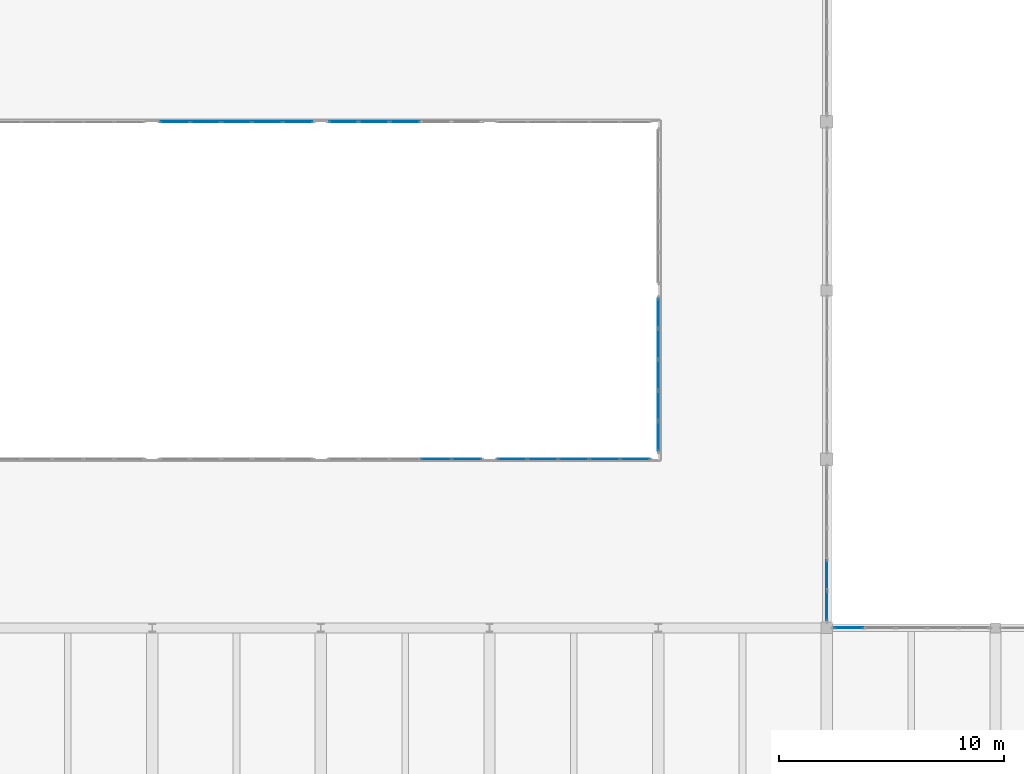
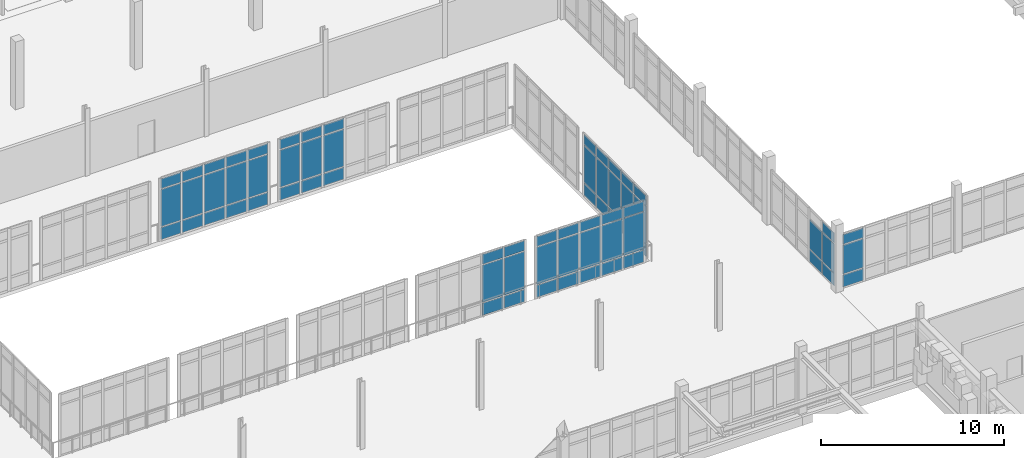
# One storey, part 79 of 128: 68 plates, 7 elements without a shape of their own.
"""IFC4 building model written with IfcOpenShell, lengths in metres."""

import ifcopenshell
import ifcopenshell.guid

model = None  # the IFC model being written
_history = None  # IfcOwnerHistory: only IFC2X3 demands one
_inside = {}  # id of a spatial element -> (the spatial element, [elements in it])
_under = {}  # id of a project, library or spatial element -> (it, [spatial elements below it])
_declared = {}  # id of a project -> (the project, [libraries it declares])
_typed = {}  # id of a type object -> (the type object, [elements of that type])
_made_of = {}  # id of a material, layer set ... -> (it, [elements and type objects made of it])


def new_model(schema):
    """Start an empty IFC model of exactly this schema.

    Asked for "IFC4X3", IfcOpenShell would pick the latest addendum, in which some entities
    have other attributes; the version numbers below select the first issue.
    IFC2X3 requires an IfcOwnerHistory on every rooted entity: one is made here for all.
    """
    global model, _history
    if schema == "IFC4X3":
        model = ifcopenshell.file(schema_version=(4, 3, 0, 0))
    else:
        model = ifcopenshell.file(schema=schema)
    _inside.clear()
    _under.clear()
    _declared.clear()
    _typed.clear()
    _made_of.clear()
    _history = None
    if model.schema == "IFC2X3":
        org = make("IfcOrganization", Name="unknown")
        user = make(
            "IfcPersonAndOrganization",
            ThePerson=make("IfcPerson", FamilyName="unknown"),
            TheOrganization=org,
        )
        app = make(
            "IfcApplication",
            ApplicationDeveloper=org,
            Version="unknown",
            ApplicationFullName="unknown",
            ApplicationIdentifier="unknown",
        )
        _history = make(
            "IfcOwnerHistory",
            OwningUser=user,
            OwningApplication=app,
            ChangeAction="ADDED",
            CreationDate=0,
        )
    return model


def make(cls, **values):
    """One entity of the class cls with the attributes given. An attribute that is None is left unset."""
    return model.create_entity(
        cls, **{name: value for name, value in values.items() if value is not None}
    )


def rooted(cls, **values):
    """An entity with a GlobalId (a new one), such as an element, a storey or a relation."""
    return make(cls, GlobalId=ifcopenshell.guid.new(), OwnerHistory=_history, **values)


def si_unit(unit_type, name, prefix=None):
    """IfcSIUnit, for example si_unit("LENGTHUNIT", "METRE", prefix="MILLI")."""
    return make("IfcSIUnit", UnitType=unit_type, Prefix=prefix, Name=name)


def assignment(units):
    """IfcUnitAssignment: the units of a project."""
    return None if units is None else make("IfcUnitAssignment", Units=units)


def point(xyz):
    """IfcCartesianPoint."""
    return None if xyz is None else make("IfcCartesianPoint", Coordinates=xyz)


def direction(xyz):
    """IfcDirection."""
    return None if xyz is None else make("IfcDirection", DirectionRatios=xyz)


def frame(location, z_axis=None, x_axis=None):
    """IfcAxis2Placement3D, a coordinate frame: its origin and axes. An axis left out is left unset."""
    return make(
        "IfcAxis2Placement3D",
        Location=point(location),
        Axis=direction(z_axis),
        RefDirection=direction(x_axis),
    )


def frame_2d(location, x_axis=None):
    """IfcAxis2Placement2D, a coordinate frame in the plane: its origin and x axis."""
    return make(
        "IfcAxis2Placement2D", Location=point(location), RefDirection=direction(x_axis)
    )


def origin():
    """The frame at (0, 0, 0) with its axes left unset."""
    return frame((0.0, 0.0, 0.0))


def origin_2d():
    """The frame at (0, 0) in the plane with its x axis left unset."""
    return frame_2d((0.0, 0.0))


def place(relative_to, where):
    """IfcLocalPlacement: puts the frame where relative to a parent placement (None: the world)."""
    return make(
        "IfcLocalPlacement", PlacementRelTo=relative_to, RelativePlacement=where
    )


def context(
    kind, dimensions, precision=None, world=None, true_north=None, identifier=None
):
    """IfcGeometricRepresentationContext, for example the 3D "Model" context."""
    return make(
        "IfcGeometricRepresentationContext",
        ContextIdentifier=identifier,
        ContextType=kind,
        CoordinateSpaceDimension=dimensions,
        Precision=precision,
        WorldCoordinateSystem=world,
        TrueNorth=true_north,
    )


def subcontext(parent, identifier, kind, view, scale=None):
    """IfcGeometricRepresentationSubContext, for example "Body" below "Model"."""
    return make(
        "IfcGeometricRepresentationSubContext",
        ContextIdentifier=identifier,
        ContextType=kind,
        ParentContext=parent,
        TargetScale=scale,
        TargetView=view,
    )


def project(units=None, contexts=None):
    """IfcProject with its units and contexts."""
    return rooted(
        "IfcProject",
        Name="project",
        RepresentationContexts=contexts,
        UnitsInContext=assignment(units),
    )


def spatial(cls, under=None, at=None, **own):
    """A site, building, storey or space (cls), placed at a placement, below another one or the project."""
    s = rooted(cls, ObjectPlacement=at, **own)
    if under is not None:
        _under.setdefault(under.id(), (under, []))[1].append(s)
    return s


def profile(cls, at=None, kind="AREA", **sizes):
    """A parametric profile (cls). Its sizes go by their IFC names, for example OverallWidth=200.0."""
    return make(cls, ProfileType=kind, Position=at, **sizes)


def rectangle(**sizes):
    """IfcRectangleProfileDef."""
    return profile("IfcRectangleProfileDef", **sizes)


def extrude(swept, where, along, depth):
    """IfcExtrudedAreaSolid: the profile swept, set in the frame where, extruded along a direction by depth."""
    return make(
        "IfcExtrudedAreaSolid",
        SweptArea=swept,
        Position=where,
        ExtrudedDirection=direction(along),
        Depth=depth,
    )


def shape(context_of_items, identifier, shape_type, items):
    """IfcShapeRepresentation: the items that make up one representation, for example the "Body"."""
    return make(
        "IfcShapeRepresentation",
        ContextOfItems=context_of_items,
        RepresentationIdentifier=identifier,
        RepresentationType=shape_type,
        Items=items,
    )


def material(Name=None, Category=None):
    """IfcMaterial."""
    return make("IfcMaterial", Name=Name, Category=Category)


def layer(
    of_material, thickness, ventilated=None, Name=None, Category=None, Priority=None
):
    """IfcMaterialLayer: one layer of a wall or slab, of a material (None: an air gap)."""
    return make(
        "IfcMaterialLayer",
        Material=of_material,
        LayerThickness=thickness,
        IsVentilated=ventilated,
        Name=Name,
        Category=Category,
        Priority=Priority,
    )


def layer_set(layers, Name=None):
    """IfcMaterialLayerSet."""
    return make("IfcMaterialLayerSet", MaterialLayers=layers, LayerSetName=Name)


def made_of(thing, what):
    """Note that an element or type object is made of a material, layer set ...; save() writes the relation."""
    if what is not None:
        _made_of.setdefault(what.id(), (what, []))[1].append(thing)
    return thing


def type_object(cls, material=None, **own):
    """A type object (cls), such as IfcWallType, which elements share."""
    return made_of(rooted(cls, **own), material)


def element(
    cls,
    number,
    at=None,
    inside=None,
    cuts=None,
    type_object=None,
    material=None,
    context=None,
    identifier="Body",
    shape_type=None,
    held_by="IfcProductDefinitionShape",
    body=None,
    shapes=None,
    **own,
):
    """One element of the class cls, such as IfcWall. Its Tag is "e" and its number.

    at: its placement. inside: the storey or other place that contains it. cuts: it is an
    opening in that element (IfcRelVoidsElement). A single representation is given by context,
    identifier, shape_type and body (its items); several are given by shapes. held_by: the class
    of the entity that holds the representations. save() writes the other relations.
    """
    e = rooted(cls, Tag="e%d" % number, ObjectPlacement=at, **own)
    if body is not None:
        shapes = [shape(context, identifier, shape_type, body)]
    if shapes is not None:
        e.Representation = make(held_by, Representations=shapes)
    if inside is not None:
        _inside.setdefault(inside.id(), (inside, []))[1].append(e)
    if cuts is not None:
        rooted(
            "IfcRelVoidsElement", RelatingBuildingElement=cuts, RelatedOpeningElement=e
        )
    if type_object is not None:
        _typed.setdefault(type_object.id(), (type_object, []))[1].append(e)
    return made_of(e, material)


def aggregate(whole, parts):
    """IfcRelAggregates: a whole, such as a stair, and the parts it consists of."""
    return rooted("IfcRelAggregates", RelatingObject=whole, RelatedObjects=parts)


def save(model, path):
    """Write the relations noted so far, then the file.

    IfcRelAggregates (storeys below a building ...), IfcRelContainedInSpatialStructure (elements
    in a storey), IfcRelDefinesByType, IfcRelAssociatesMaterial and IfcRelDeclares: one each for
    every whole, place, type object, material and project.
    """
    for whole, parts in _under.values():
        aggregate(whole, parts)
    for where, things in _inside.values():
        rooted(
            "IfcRelContainedInSpatialStructure",
            RelatedElements=things,
            RelatingStructure=where,
        )
    for kind, things in _typed.values():
        rooted("IfcRelDefinesByType", RelatedObjects=things, RelatingType=kind)
    for what, things in _made_of.values():
        rooted("IfcRelAssociatesMaterial", RelatedObjects=things, RelatingMaterial=what)
    for by, libraries in _declared.values():
        rooted("IfcRelDeclares", RelatingContext=by, RelatedDefinitions=libraries)
    model.write(path)


model = new_model("IFC4")

# Units and contexts
model_context = context("Model", 3, precision=1e-05, world=origin(), true_north=direction((0.0, 1.0)))
body_context = subcontext(model_context, "Body", "Model", "MODEL_VIEW")
ifc_project = project(units=[si_unit("LENGTHUNIT", "METRE"), si_unit("AREAUNIT", "SQUARE_METRE"), si_unit("VOLUMEUNIT", "CUBIC_METRE"), si_unit("PLANEANGLEUNIT", "RADIAN"), si_unit("MASSUNIT", "GRAM", prefix="KILO")], contexts=[model_context])

# Site, building, storey
site_placement = place(None, origin())
site = spatial("IfcSite", under=ifc_project, at=site_placement, CompositionType="ELEMENT")
building_placement = place(site_placement, origin())
building = spatial("IfcBuilding", under=site, at=building_placement, Name="Dalvernix Boulevard General Hospital", CompositionType="ELEMENT")
storey_placement = place(building_placement, frame((0.0, 0.0, 4.800048828125)))
storey = spatial("IfcBuildingStorey", under=building, at=storey_placement, Name="L01", CompositionType="ELEMENT", Elevation=4.800048828125)

# Curtain wall, plates
ifc_material_1 = material(Name="Thermally broken aluminium and solar-control glass curtain wall", Category="aluminium")
ifc_layer_1 = layer(ifc_material_1, 0.159912109375)
ifc_layer_set_1 = layer_set([ifc_layer_1], Name="Thermally broken aluminium and solar-control glass curtain wall (CW-CW-A-69x42)")
curtain_wall_type_1 = type_object("IfcCurtainWallType", Name="CW-CW-A-69x42", PredefinedType="USERDEFINED", material=ifc_layer_set_1)
curtain_wall_1_placement = place(storey_placement, origin())
curtain_wall_1 = element("IfcCurtainWall", 1, at=curtain_wall_1_placement, inside=storey, type_object=curtain_wall_type_1, Name="L01 curtain wall CW-A-69x42 12-5", ObjectType="GLAZED FACADE", PredefinedType="USERDEFINED")
ifc_material_2 = material(Name="Double-glazed solar-control low-emissivity glass", Category="glass")
ifc_layer_2 = layer(ifc_material_2, 0.02392578125)
ifc_layer_set_2 = layer_set([ifc_layer_2], Name="Double-glazed solar-control low-emissivity glass (PLT-CW-P1)")
plate_type_1 = type_object("IfcPlateType", Name="PLT-CW-P1", PredefinedType="CURTAIN_PANEL", material=ifc_layer_set_2)
plate_1_placement = place(storey_placement, frame((95.1259765625, 39.0, 0.059814453125), z_axis=(0.0, 0.0, 1.0), x_axis=(1.0, 0.0, 0.0)))
plate_1 = element("IfcPlate", 2, at=plate_1_placement, type_object=plate_type_1, Name="CW-A-69x42 panel 4.1", PredefinedType="CURTAIN_PANEL", context=body_context, shape_type="SweptSolid", body=[
    extrude(rectangle(XDim=1.31591796875, YDim=0.02392578125, at=origin_2d()), origin(), (0.0, 0.0, 1.0), 0.81005859375),
])
plate_2_placement = place(storey_placement, frame((95.1259765625, 39.0, 0.93017578125), z_axis=(0.0, 0.0, 1.0), x_axis=(1.0, 0.0, 0.0)))
plate_2 = element("IfcPlate", 3, at=plate_2_placement, type_object=plate_type_1, Name="CW-A-69x42 panel 4.2", PredefinedType="CURTAIN_PANEL", context=body_context, shape_type="SweptSolid", body=[
    extrude(rectangle(XDim=1.31591796875, YDim=0.02392578125, at=origin_2d()), origin(), (0.0, 0.0, 1.0), 2.469970703125),
])
plate_3_placement = place(storey_placement, frame((95.1259765625, 39.0, 3.4599609375), z_axis=(0.0, 0.0, 1.0), x_axis=(1.0, 0.0, 0.0)))
plate_3 = element("IfcPlate", 4, at=plate_3_placement, type_object=plate_type_1, Name="CW-A-69x42 panel 4.3", PredefinedType="CURTAIN_PANEL", context=body_context, shape_type="SweptSolid", body=[
    extrude(rectangle(XDim=1.31591796875, YDim=0.02392578125, at=origin_2d()), origin(), (0.0, 0.0, 1.0), 0.659912109375),
])
plate_4_placement = place(storey_placement, frame((96.487060546875, 39.0, 0.059814453125), z_axis=(0.0, 0.0, 1.0), x_axis=(1.0, 0.0, 0.0)))
plate_4 = element("IfcPlate", 5, at=plate_4_placement, type_object=plate_type_1, Name="CW-A-69x42 panel 5.1", PredefinedType="CURTAIN_PANEL", context=body_context, shape_type="SweptSolid", body=[
    extrude(rectangle(XDim=1.285888671875, YDim=0.02392578125, at=origin_2d()), origin(), (0.0, 0.0, 1.0), 0.81005859375),
])
plate_5_placement = place(storey_placement, frame((96.487060546875, 39.0, 0.93017578125), z_axis=(0.0, 0.0, 1.0), x_axis=(1.0, 0.0, 0.0)))
plate_5 = element("IfcPlate", 6, at=plate_5_placement, type_object=plate_type_1, Name="CW-A-69x42 panel 5.2", PredefinedType="CURTAIN_PANEL", context=body_context, shape_type="SweptSolid", body=[
    extrude(rectangle(XDim=1.285888671875, YDim=0.02392578125, at=origin_2d()), origin(), (0.0, 0.0, 1.0), 2.469970703125),
])
plate_6_placement = place(storey_placement, frame((96.487060546875, 39.0, 3.4599609375), z_axis=(0.0, 0.0, 1.0), x_axis=(1.0, 0.0, 0.0)))
plate_6 = element("IfcPlate", 7, at=plate_6_placement, type_object=plate_type_1, Name="CW-A-69x42 panel 5.3", PredefinedType="CURTAIN_PANEL", context=body_context, shape_type="SweptSolid", body=[
    extrude(rectangle(XDim=1.285888671875, YDim=0.02392578125, at=origin_2d()), origin(), (0.0, 0.0, 1.0), 0.659912109375),
])
aggregate(curtain_wall_1, [plate_1, plate_2, plate_3, plate_4, plate_5, plate_6])

ifc_layer_3 = layer(ifc_material_1, 0.179931640625)
ifc_layer_set_3 = layer_set([ifc_layer_3], Name="Thermally broken aluminium and solar-control glass curtain wall (CW-CW-B-69x42)")
curtain_wall_type_2 = type_object("IfcCurtainWallType", Name="CW-CW-B-69x42", PredefinedType="USERDEFINED", material=ifc_layer_set_3)
curtain_wall_2_placement = place(storey_placement, origin())
curtain_wall_2 = element("IfcCurtainWall", 8, at=curtain_wall_2_placement, inside=storey, type_object=curtain_wall_type_2, Name="L01 curtain wall CW-B-69x42 11-7", ObjectType="GLAZED FACADE", PredefinedType="USERDEFINED")
ifc_layer_4 = layer(ifc_material_2, 0.028076171875)
ifc_layer_set_4 = layer_set([ifc_layer_4], Name="Double-glazed solar-control low-emissivity glass (PLT-CW-P2)")
plate_type_2 = type_object("IfcPlateType", Name="PLT-CW-P2", PredefinedType="CURTAIN_PANEL", material=ifc_layer_set_4)
plate_7_placement = place(storey_placement, frame((88.98583984375, 54.0, 0.06494140625), z_axis=(0.0, 0.0, 1.0), x_axis=(-1.0, 0.0, 0.0)))
plate_7 = element("IfcPlate", 9, at=plate_7_placement, type_object=plate_type_2, Name="CW-B-69x42 panel 1.1", PredefinedType="CURTAIN_PANEL", context=body_context, shape_type="SweptSolid", body=[
    extrude(rectangle(XDim=1.278564453125, YDim=0.028076171875, at=origin_2d()), origin(), (0.0, 0.0, 1.0), 0.802490234375),
])
plate_8_placement = place(storey_placement, frame((88.98583984375, 54.0, 0.9326171875), z_axis=(0.0, 0.0, 1.0), x_axis=(-1.0, 0.0, 0.0)))
plate_8 = element("IfcPlate", 10, at=plate_8_placement, type_object=plate_type_2, Name="CW-B-69x42 panel 1.2", PredefinedType="CURTAIN_PANEL", context=body_context, shape_type="SweptSolid", body=[
    extrude(rectangle(XDim=1.278564453125, YDim=0.028076171875, at=origin_2d()), origin(), (0.0, 0.0, 1.0), 2.465087890625),
])
plate_9_placement = place(storey_placement, frame((88.98583984375, 54.0, 3.46240234375), z_axis=(0.0, 0.0, 1.0), x_axis=(-1.0, 0.0, 0.0)))
plate_9 = element("IfcPlate", 11, at=plate_9_placement, type_object=plate_type_2, Name="CW-B-69x42 panel 1.3", PredefinedType="CURTAIN_PANEL", context=body_context, shape_type="SweptSolid", body=[
    extrude(rectangle(XDim=1.278564453125, YDim=0.028076171875, at=origin_2d()), origin(), (0.0, 0.0, 1.0), 0.652587890625),
])
plate_10_placement = place(storey_placement, frame((87.6259765625, 54.0, 0.06494140625), z_axis=(0.0, 0.0, 1.0), x_axis=(-1.0, 0.0, 0.0)))
plate_10 = element("IfcPlate", 12, at=plate_10_placement, type_object=plate_type_2, Name="CW-B-69x42 panel 2.1", PredefinedType="CURTAIN_PANEL", context=body_context, shape_type="SweptSolid", body=[
    extrude(rectangle(XDim=1.31103515625, YDim=0.028076171875, at=origin_2d()), origin(), (0.0, 0.0, 1.0), 0.802490234375),
])
plate_11_placement = place(storey_placement, frame((87.6259765625, 54.0, 0.9326171875), z_axis=(0.0, 0.0, 1.0), x_axis=(-1.0, 0.0, 0.0)))
plate_11 = element("IfcPlate", 13, at=plate_11_placement, type_object=plate_type_2, Name="CW-B-69x42 panel 2.2", PredefinedType="CURTAIN_PANEL", context=body_context, shape_type="SweptSolid", body=[
    extrude(rectangle(XDim=1.31103515625, YDim=0.028076171875, at=origin_2d()), origin(), (0.0, 0.0, 1.0), 2.465087890625),
])
plate_12_placement = place(storey_placement, frame((87.6259765625, 54.0, 3.46240234375), z_axis=(0.0, 0.0, 1.0), x_axis=(-1.0, 0.0, 0.0)))
plate_12 = element("IfcPlate", 14, at=plate_12_placement, type_object=plate_type_2, Name="CW-B-69x42 panel 2.3", PredefinedType="CURTAIN_PANEL", context=body_context, shape_type="SweptSolid", body=[
    extrude(rectangle(XDim=1.31103515625, YDim=0.028076171875, at=origin_2d()), origin(), (0.0, 0.0, 1.0), 0.652587890625),
])
plate_13_placement = place(storey_placement, frame((86.25, 54.0, 0.06494140625), z_axis=(0.0, 0.0, 1.0), x_axis=(-1.0, 0.0, 0.0)))
plate_13 = element("IfcPlate", 15, at=plate_13_placement, type_object=plate_type_2, Name="CW-B-69x42 panel 3.1", PredefinedType="CURTAIN_PANEL", context=body_context, shape_type="SweptSolid", body=[
    extrude(rectangle(XDim=1.31103515625, YDim=0.028076171875, at=origin_2d()), origin(), (0.0, 0.0, 1.0), 0.802490234375),
])
plate_14_placement = place(storey_placement, frame((86.25, 54.0, 0.9326171875), z_axis=(0.0, 0.0, 1.0), x_axis=(-1.0, 0.0, 0.0)))
plate_14 = element("IfcPlate", 16, at=plate_14_placement, type_object=plate_type_2, Name="CW-B-69x42 panel 3.2", PredefinedType="CURTAIN_PANEL", context=body_context, shape_type="SweptSolid", body=[
    extrude(rectangle(XDim=1.31103515625, YDim=0.028076171875, at=origin_2d()), origin(), (0.0, 0.0, 1.0), 2.465087890625),
])
plate_15_placement = place(storey_placement, frame((86.25, 54.0, 3.46240234375), z_axis=(0.0, 0.0, 1.0), x_axis=(-1.0, 0.0, 0.0)))
plate_15 = element("IfcPlate", 17, at=plate_15_placement, type_object=plate_type_2, Name="CW-B-69x42 panel 3.3", PredefinedType="CURTAIN_PANEL", context=body_context, shape_type="SweptSolid", body=[
    extrude(rectangle(XDim=1.31103515625, YDim=0.028076171875, at=origin_2d()), origin(), (0.0, 0.0, 1.0), 0.652587890625),
])
plate_16_placement = place(storey_placement, frame((84.8740234375, 54.0, 0.06494140625), z_axis=(0.0, 0.0, 1.0), x_axis=(-1.0, 0.0, 0.0)))
plate_16 = element("IfcPlate", 18, at=plate_16_placement, type_object=plate_type_2, Name="CW-B-69x42 panel 4.1", PredefinedType="CURTAIN_PANEL", context=body_context, shape_type="SweptSolid", body=[
    extrude(rectangle(XDim=1.31103515625, YDim=0.028076171875, at=origin_2d()), origin(), (0.0, 0.0, 1.0), 0.802490234375),
])
plate_17_placement = place(storey_placement, frame((84.8740234375, 54.0, 0.9326171875), z_axis=(0.0, 0.0, 1.0), x_axis=(-1.0, 0.0, 0.0)))
plate_17 = element("IfcPlate", 19, at=plate_17_placement, type_object=plate_type_2, Name="CW-B-69x42 panel 4.2", PredefinedType="CURTAIN_PANEL", context=body_context, shape_type="SweptSolid", body=[
    extrude(rectangle(XDim=1.31103515625, YDim=0.028076171875, at=origin_2d()), origin(), (0.0, 0.0, 1.0), 2.465087890625),
])
plate_18_placement = place(storey_placement, frame((84.8740234375, 54.0, 3.46240234375), z_axis=(0.0, 0.0, 1.0), x_axis=(-1.0, 0.0, 0.0)))
plate_18 = element("IfcPlate", 20, at=plate_18_placement, type_object=plate_type_2, Name="CW-B-69x42 panel 4.3", PredefinedType="CURTAIN_PANEL", context=body_context, shape_type="SweptSolid", body=[
    extrude(rectangle(XDim=1.31103515625, YDim=0.028076171875, at=origin_2d()), origin(), (0.0, 0.0, 1.0), 0.652587890625),
])
plate_19_placement = place(storey_placement, frame((83.51416015625, 54.0, 0.06494140625), z_axis=(0.0, 0.0, 1.0), x_axis=(-1.0, 0.0, 0.0)))
plate_19 = element("IfcPlate", 21, at=plate_19_placement, type_object=plate_type_2, Name="CW-B-69x42 panel 5.1", PredefinedType="CURTAIN_PANEL", context=body_context, shape_type="SweptSolid", body=[
    extrude(rectangle(XDim=1.278564453125, YDim=0.028076171875, at=origin_2d()), origin(), (0.0, 0.0, 1.0), 0.802490234375),
])
plate_20_placement = place(storey_placement, frame((83.51416015625, 54.0, 0.9326171875), z_axis=(0.0, 0.0, 1.0), x_axis=(-1.0, 0.0, 0.0)))
plate_20 = element("IfcPlate", 22, at=plate_20_placement, type_object=plate_type_2, Name="CW-B-69x42 panel 5.2", PredefinedType="CURTAIN_PANEL", context=body_context, shape_type="SweptSolid", body=[
    extrude(rectangle(XDim=1.278564453125, YDim=0.028076171875, at=origin_2d()), origin(), (0.0, 0.0, 1.0), 2.465087890625),
])
plate_21_placement = place(storey_placement, frame((83.51416015625, 54.0, 3.46240234375), z_axis=(0.0, 0.0, 1.0), x_axis=(-1.0, 0.0, 0.0)))
plate_21 = element("IfcPlate", 23, at=plate_21_placement, type_object=plate_type_2, Name="CW-B-69x42 panel 5.3", PredefinedType="CURTAIN_PANEL", context=body_context, shape_type="SweptSolid", body=[
    extrude(rectangle(XDim=1.278564453125, YDim=0.028076171875, at=origin_2d()), origin(), (0.0, 0.0, 1.0), 0.652587890625),
])
aggregate(curtain_wall_2, [plate_7, plate_8, plate_9, plate_10, plate_11, plate_12, plate_13, plate_14, plate_15, plate_16, plate_17, plate_18, plate_19, plate_20, plate_21])

curtain_wall_3_placement = place(storey_placement, origin())
curtain_wall_3 = element("IfcCurtainWall", 24, at=curtain_wall_3_placement, inside=storey, type_object=curtain_wall_type_2, Name="L01 curtain wall CW-B-69x42 13-5", ObjectType="GLAZED FACADE", PredefinedType="USERDEFINED")
plate_22_placement = place(storey_placement, frame((98.51416015625, 39.0, 0.06494140625), z_axis=(0.0, 0.0, 1.0), x_axis=(1.0, 0.0, 0.0)))
plate_22 = element("IfcPlate", 25, at=plate_22_placement, type_object=plate_type_2, Name="CW-B-69x42 panel 1.1", PredefinedType="CURTAIN_PANEL", context=body_context, shape_type="SweptSolid", body=[
    extrude(rectangle(XDim=1.278564453125, YDim=0.028076171875, at=origin_2d()), origin(), (0.0, 0.0, 1.0), 0.802490234375),
])
plate_23_placement = place(storey_placement, frame((98.51416015625, 39.0, 0.9326171875), z_axis=(0.0, 0.0, 1.0), x_axis=(1.0, 0.0, 0.0)))
plate_23 = element("IfcPlate", 26, at=plate_23_placement, type_object=plate_type_2, Name="CW-B-69x42 panel 1.2", PredefinedType="CURTAIN_PANEL", context=body_context, shape_type="SweptSolid", body=[
    extrude(rectangle(XDim=1.278564453125, YDim=0.028076171875, at=origin_2d()), origin(), (0.0, 0.0, 1.0), 2.465087890625),
])
plate_24_placement = place(storey_placement, frame((98.51416015625, 39.0, 3.46240234375), z_axis=(0.0, 0.0, 1.0), x_axis=(1.0, 0.0, 0.0)))
plate_24 = element("IfcPlate", 27, at=plate_24_placement, type_object=plate_type_2, Name="CW-B-69x42 panel 1.3", PredefinedType="CURTAIN_PANEL", context=body_context, shape_type="SweptSolid", body=[
    extrude(rectangle(XDim=1.278564453125, YDim=0.028076171875, at=origin_2d()), origin(), (0.0, 0.0, 1.0), 0.652587890625),
])
plate_25_placement = place(storey_placement, frame((99.8740234375, 39.0, 0.06494140625), z_axis=(0.0, 0.0, 1.0), x_axis=(1.0, 0.0, 0.0)))
plate_25 = element("IfcPlate", 28, at=plate_25_placement, type_object=plate_type_2, Name="CW-B-69x42 panel 2.1", PredefinedType="CURTAIN_PANEL", context=body_context, shape_type="SweptSolid", body=[
    extrude(rectangle(XDim=1.31103515625, YDim=0.028076171875, at=origin_2d()), origin(), (0.0, 0.0, 1.0), 0.802490234375),
])
plate_26_placement = place(storey_placement, frame((99.8740234375, 39.0, 0.9326171875), z_axis=(0.0, 0.0, 1.0), x_axis=(1.0, 0.0, 0.0)))
plate_26 = element("IfcPlate", 29, at=plate_26_placement, type_object=plate_type_2, Name="CW-B-69x42 panel 2.2", PredefinedType="CURTAIN_PANEL", context=body_context, shape_type="SweptSolid", body=[
    extrude(rectangle(XDim=1.31103515625, YDim=0.028076171875, at=origin_2d()), origin(), (0.0, 0.0, 1.0), 2.465087890625),
])
plate_27_placement = place(storey_placement, frame((99.8740234375, 39.0, 3.46240234375), z_axis=(0.0, 0.0, 1.0), x_axis=(1.0, 0.0, 0.0)))
plate_27 = element("IfcPlate", 30, at=plate_27_placement, type_object=plate_type_2, Name="CW-B-69x42 panel 2.3", PredefinedType="CURTAIN_PANEL", context=body_context, shape_type="SweptSolid", body=[
    extrude(rectangle(XDim=1.31103515625, YDim=0.028076171875, at=origin_2d()), origin(), (0.0, 0.0, 1.0), 0.652587890625),
])
plate_28_placement = place(storey_placement, frame((101.25, 39.0, 0.06494140625), z_axis=(0.0, 0.0, 1.0), x_axis=(1.0, 0.0, 0.0)))
plate_28 = element("IfcPlate", 31, at=plate_28_placement, type_object=plate_type_2, Name="CW-B-69x42 panel 3.1", PredefinedType="CURTAIN_PANEL", context=body_context, shape_type="SweptSolid", body=[
    extrude(rectangle(XDim=1.31103515625, YDim=0.028076171875, at=origin_2d()), origin(), (0.0, 0.0, 1.0), 0.802490234375),
])
plate_29_placement = place(storey_placement, frame((101.25, 39.0, 0.9326171875), z_axis=(0.0, 0.0, 1.0), x_axis=(1.0, 0.0, 0.0)))
plate_29 = element("IfcPlate", 32, at=plate_29_placement, type_object=plate_type_2, Name="CW-B-69x42 panel 3.2", PredefinedType="CURTAIN_PANEL", context=body_context, shape_type="SweptSolid", body=[
    extrude(rectangle(XDim=1.31103515625, YDim=0.028076171875, at=origin_2d()), origin(), (0.0, 0.0, 1.0), 2.465087890625),
])
plate_30_placement = place(storey_placement, frame((101.25, 39.0, 3.46240234375), z_axis=(0.0, 0.0, 1.0), x_axis=(1.0, 0.0, 0.0)))
plate_30 = element("IfcPlate", 33, at=plate_30_placement, type_object=plate_type_2, Name="CW-B-69x42 panel 3.3", PredefinedType="CURTAIN_PANEL", context=body_context, shape_type="SweptSolid", body=[
    extrude(rectangle(XDim=1.31103515625, YDim=0.028076171875, at=origin_2d()), origin(), (0.0, 0.0, 1.0), 0.652587890625),
])
plate_31_placement = place(storey_placement, frame((102.6259765625, 39.0, 0.06494140625), z_axis=(0.0, 0.0, 1.0), x_axis=(1.0, 0.0, 0.0)))
plate_31 = element("IfcPlate", 34, at=plate_31_placement, type_object=plate_type_2, Name="CW-B-69x42 panel 4.1", PredefinedType="CURTAIN_PANEL", context=body_context, shape_type="SweptSolid", body=[
    extrude(rectangle(XDim=1.31103515625, YDim=0.028076171875, at=origin_2d()), origin(), (0.0, 0.0, 1.0), 0.802490234375),
])
plate_32_placement = place(storey_placement, frame((102.6259765625, 39.0, 0.9326171875), z_axis=(0.0, 0.0, 1.0), x_axis=(1.0, 0.0, 0.0)))
plate_32 = element("IfcPlate", 35, at=plate_32_placement, type_object=plate_type_2, Name="CW-B-69x42 panel 4.2", PredefinedType="CURTAIN_PANEL", context=body_context, shape_type="SweptSolid", body=[
    extrude(rectangle(XDim=1.31103515625, YDim=0.028076171875, at=origin_2d()), origin(), (0.0, 0.0, 1.0), 2.465087890625),
])
plate_33_placement = place(storey_placement, frame((102.6259765625, 39.0, 3.46240234375), z_axis=(0.0, 0.0, 1.0), x_axis=(1.0, 0.0, 0.0)))
plate_33 = element("IfcPlate", 36, at=plate_33_placement, type_object=plate_type_2, Name="CW-B-69x42 panel 4.3", PredefinedType="CURTAIN_PANEL", context=body_context, shape_type="SweptSolid", body=[
    extrude(rectangle(XDim=1.31103515625, YDim=0.028076171875, at=origin_2d()), origin(), (0.0, 0.0, 1.0), 0.652587890625),
])
plate_34_placement = place(storey_placement, frame((103.98583984375, 39.0, 0.06494140625), z_axis=(0.0, 0.0, 1.0), x_axis=(1.0, 0.0, 0.0)))
plate_34 = element("IfcPlate", 37, at=plate_34_placement, type_object=plate_type_2, Name="CW-B-69x42 panel 5.1", PredefinedType="CURTAIN_PANEL", context=body_context, shape_type="SweptSolid", body=[
    extrude(rectangle(XDim=1.278564453125, YDim=0.028076171875, at=origin_2d()), origin(), (0.0, 0.0, 1.0), 0.802490234375),
])
plate_35_placement = place(storey_placement, frame((103.98583984375, 39.0, 0.9326171875), z_axis=(0.0, 0.0, 1.0), x_axis=(1.0, 0.0, 0.0)))
plate_35 = element("IfcPlate", 38, at=plate_35_placement, type_object=plate_type_2, Name="CW-B-69x42 panel 5.2", PredefinedType="CURTAIN_PANEL", context=body_context, shape_type="SweptSolid", body=[
    extrude(rectangle(XDim=1.278564453125, YDim=0.028076171875, at=origin_2d()), origin(), (0.0, 0.0, 1.0), 2.465087890625),
])
plate_36_placement = place(storey_placement, frame((103.98583984375, 39.0, 3.46240234375), z_axis=(0.0, 0.0, 1.0), x_axis=(1.0, 0.0, 0.0)))
plate_36 = element("IfcPlate", 39, at=plate_36_placement, type_object=plate_type_2, Name="CW-B-69x42 panel 5.3", PredefinedType="CURTAIN_PANEL", context=body_context, shape_type="SweptSolid", body=[
    extrude(rectangle(XDim=1.278564453125, YDim=0.028076171875, at=origin_2d()), origin(), (0.0, 0.0, 1.0), 0.652587890625),
])
aggregate(curtain_wall_3, [plate_22, plate_23, plate_24, plate_25, plate_26, plate_27, plate_28, plate_29, plate_30, plate_31, plate_32, plate_33, plate_34, plate_35, plate_36])

ifc_layer_5 = layer(ifc_material_1, 0.199951171875)
ifc_layer_set_5 = layer_set([ifc_layer_5], Name="Thermally broken aluminium and solar-control glass curtain wall (CW-CW-C-69x42)")
curtain_wall_type_3 = type_object("IfcCurtainWallType", Name="CW-CW-C-69x42", PredefinedType="USERDEFINED", material=ifc_layer_set_5)
curtain_wall_4_placement = place(storey_placement, origin())
curtain_wall_4 = element("IfcCurtainWall", 40, at=curtain_wall_4_placement, inside=storey, type_object=curtain_wall_type_3, Name="L01 curtain wall CW-C-69x42 12-7", ObjectType="GLAZED FACADE", PredefinedType="USERDEFINED")
ifc_layer_6 = layer(ifc_material_2, 0.035888671875)
ifc_layer_set_6 = layer_set([ifc_layer_6], Name="Double-glazed solar-control low-emissivity glass (PLT-CW-P3)")
plate_type_3 = type_object("IfcPlateType", Name="PLT-CW-P3", PredefinedType="CURTAIN_PANEL", material=ifc_layer_set_6)
plate_37_placement = place(storey_placement, frame((93.75, 54.0, 0.070068359375), z_axis=(0.0, 0.0, 1.0), x_axis=(-1.0, 0.0, 0.0)))
plate_37 = element("IfcPlate", 41, at=plate_37_placement, type_object=plate_type_3, Name="CW-C-69x42 panel 3.1", PredefinedType="CURTAIN_PANEL", context=body_context, shape_type="SweptSolid", body=[
    extrude(rectangle(XDim=1.305908203125, YDim=0.035888671875, at=origin_2d()), origin(), (0.0, 0.0, 1.0), 0.794921875),
])
plate_38_placement = place(storey_placement, frame((93.75, 54.0, 0.93505859375), z_axis=(0.0, 0.0, 1.0), x_axis=(-1.0, 0.0, 0.0)))
plate_38 = element("IfcPlate", 42, at=plate_38_placement, type_object=plate_type_3, Name="CW-C-69x42 panel 3.2", PredefinedType="CURTAIN_PANEL", context=body_context, shape_type="SweptSolid", body=[
    extrude(rectangle(XDim=1.305908203125, YDim=0.035888671875, at=origin_2d()), origin(), (0.0, 0.0, 1.0), 2.4599609375),
])
plate_39_placement = place(storey_placement, frame((93.75, 54.0, 3.46484375), z_axis=(0.0, 0.0, 1.0), x_axis=(-1.0, 0.0, 0.0)))
plate_39 = element("IfcPlate", 43, at=plate_39_placement, type_object=plate_type_3, Name="CW-C-69x42 panel 3.3", PredefinedType="CURTAIN_PANEL", context=body_context, shape_type="SweptSolid", body=[
    extrude(rectangle(XDim=1.305908203125, YDim=0.035888671875, at=origin_2d()), origin(), (0.0, 0.0, 1.0), 0.64501953125),
])
plate_40_placement = place(storey_placement, frame((92.3740234375, 54.0, 0.070068359375), z_axis=(0.0, 0.0, 1.0), x_axis=(-1.0, 0.0, 0.0)))
plate_40 = element("IfcPlate", 44, at=plate_40_placement, type_object=plate_type_3, Name="CW-C-69x42 panel 4.1", PredefinedType="CURTAIN_PANEL", context=body_context, shape_type="SweptSolid", body=[
    extrude(rectangle(XDim=1.305908203125, YDim=0.035888671875, at=origin_2d()), origin(), (0.0, 0.0, 1.0), 0.794921875),
])
plate_41_placement = place(storey_placement, frame((92.3740234375, 54.0, 0.93505859375), z_axis=(0.0, 0.0, 1.0), x_axis=(-1.0, 0.0, 0.0)))
plate_41 = element("IfcPlate", 45, at=plate_41_placement, type_object=plate_type_3, Name="CW-C-69x42 panel 4.2", PredefinedType="CURTAIN_PANEL", context=body_context, shape_type="SweptSolid", body=[
    extrude(rectangle(XDim=1.305908203125, YDim=0.035888671875, at=origin_2d()), origin(), (0.0, 0.0, 1.0), 2.4599609375),
])
plate_42_placement = place(storey_placement, frame((92.3740234375, 54.0, 3.46484375), z_axis=(0.0, 0.0, 1.0), x_axis=(-1.0, 0.0, 0.0)))
plate_42 = element("IfcPlate", 46, at=plate_42_placement, type_object=plate_type_3, Name="CW-C-69x42 panel 4.3", PredefinedType="CURTAIN_PANEL", context=body_context, shape_type="SweptSolid", body=[
    extrude(rectangle(XDim=1.305908203125, YDim=0.035888671875, at=origin_2d()), origin(), (0.0, 0.0, 1.0), 0.64501953125),
])
plate_43_placement = place(storey_placement, frame((91.015380859375, 54.0, 0.070068359375), z_axis=(0.0, 0.0, 1.0), x_axis=(-1.0, 0.0, 0.0)))
plate_43 = element("IfcPlate", 47, at=plate_43_placement, type_object=plate_type_3, Name="CW-C-69x42 panel 5.1", PredefinedType="CURTAIN_PANEL", context=body_context, shape_type="SweptSolid", body=[
    extrude(rectangle(XDim=1.27099609375, YDim=0.035888671875, at=origin_2d()), origin(), (0.0, 0.0, 1.0), 0.794921875),
])
plate_44_placement = place(storey_placement, frame((91.015380859375, 54.0, 0.93505859375), z_axis=(0.0, 0.0, 1.0), x_axis=(-1.0, 0.0, 0.0)))
plate_44 = element("IfcPlate", 48, at=plate_44_placement, type_object=plate_type_3, Name="CW-C-69x42 panel 5.2", PredefinedType="CURTAIN_PANEL", context=body_context, shape_type="SweptSolid", body=[
    extrude(rectangle(XDim=1.27099609375, YDim=0.035888671875, at=origin_2d()), origin(), (0.0, 0.0, 1.0), 2.4599609375),
])
plate_45_placement = place(storey_placement, frame((91.015380859375, 54.0, 3.46484375), z_axis=(0.0, 0.0, 1.0), x_axis=(-1.0, 0.0, 0.0)))
plate_45 = element("IfcPlate", 49, at=plate_45_placement, type_object=plate_type_3, Name="CW-C-69x42 panel 5.3", PredefinedType="CURTAIN_PANEL", context=body_context, shape_type="SweptSolid", body=[
    extrude(rectangle(XDim=1.27099609375, YDim=0.035888671875, at=origin_2d()), origin(), (0.0, 0.0, 1.0), 0.64501953125),
])
aggregate(curtain_wall_4, [plate_37, plate_38, plate_39, plate_40, plate_41, plate_42, plate_43, plate_44, plate_45])

ifc_layer_7 = layer(ifc_material_1, 0.199951171875)
ifc_layer_set_7 = layer_set([ifc_layer_7], Name="Thermally broken aluminium and solar-control glass curtain wall (CW-CW-C-70x36)")
curtain_wall_type_4 = type_object("IfcCurtainWallType", Name="CW-CW-C-70x36", PredefinedType="USERDEFINED", material=ifc_layer_set_7)
curtain_wall_5_placement = place(storey_placement, origin())
curtain_wall_5 = element("IfcCurtainWall", 50, at=curtain_wall_5_placement, inside=storey, type_object=curtain_wall_type_4, Name="L01 curtain wall CW-C-70x36 15-4", ObjectType="GLAZED FACADE", PredefinedType="USERDEFINED")
plate_46_placement = place(storey_placement, frame((112.5, 33.846435546875, 0.070068359375), z_axis=(0.0, 0.0, 1.0), x_axis=(0.0, -1.0, 0.0)))
plate_46 = element("IfcPlate", 51, at=plate_46_placement, type_object=plate_type_3, Name="CW-C-70x36 panel 4.1", PredefinedType="CURTAIN_PANEL", context=body_context, shape_type="SweptSolid", body=[
    extrude(rectangle(XDim=1.321044921875, YDim=0.035888671875, at=origin_2d()), origin(), (0.0, 0.0, 1.0), 0.794921875),
])
plate_47_placement = place(storey_placement, frame((112.5, 33.846435546875, 0.93505859375), z_axis=(0.0, 0.0, 1.0), x_axis=(0.0, -1.0, 0.0)))
plate_47 = element("IfcPlate", 52, at=plate_47_placement, type_object=plate_type_3, Name="CW-C-70x36 panel 4.2", PredefinedType="CURTAIN_PANEL", context=body_context, shape_type="SweptSolid", body=[
    extrude(rectangle(XDim=1.321044921875, YDim=0.035888671875, at=origin_2d()), origin(), (0.0, 0.0, 1.0), 1.909912109375),
])
plate_48_placement = place(storey_placement, frame((112.5, 32.472900390625, 0.070068359375), z_axis=(0.0, 0.0, 1.0), x_axis=(0.0, -1.0, 0.0)))
plate_48 = element("IfcPlate", 53, at=plate_48_placement, type_object=plate_type_3, Name="CW-C-70x36 panel 5.1", PredefinedType="CURTAIN_PANEL", context=body_context, shape_type="SweptSolid", body=[
    extrude(rectangle(XDim=1.285888671875, YDim=0.035888671875, at=origin_2d()), origin(), (0.0, 0.0, 1.0), 0.794921875),
])
plate_49_placement = place(storey_placement, frame((112.5, 32.472900390625, 0.93505859375), z_axis=(0.0, 0.0, 1.0), x_axis=(0.0, -1.0, 0.0)))
plate_49 = element("IfcPlate", 54, at=plate_49_placement, type_object=plate_type_3, Name="CW-C-70x36 panel 5.2", PredefinedType="CURTAIN_PANEL", context=body_context, shape_type="SweptSolid", body=[
    extrude(rectangle(XDim=1.285888671875, YDim=0.035888671875, at=origin_2d()), origin(), (0.0, 0.0, 1.0), 1.909912109375),
])
plate_50_placement = place(storey_placement, frame((112.5, 32.472900390625, 2.9150390625), z_axis=(0.0, 0.0, 1.0), x_axis=(0.0, -1.0, 0.0)))
plate_50 = element("IfcPlate", 55, at=plate_50_placement, type_object=plate_type_3, Name="CW-C-70x36 panel 5.3", PredefinedType="CURTAIN_PANEL", context=body_context, shape_type="SweptSolid", body=[
    extrude(rectangle(XDim=1.285888671875, YDim=0.035888671875, at=origin_2d()), origin(), (0.0, 0.0, 1.0), 0.64501953125),
])
aggregate(curtain_wall_5, [plate_46, plate_47, plate_48, plate_49, plate_50])

curtain_wall_6_placement = place(storey_placement, origin())
curtain_wall_6 = element("IfcCurtainWall", 56, at=curtain_wall_6_placement, inside=storey, type_object=curtain_wall_type_3, Name="L01 curtain wall CW-C-69x42 14-5", ObjectType="GLAZED FACADE", PredefinedType="USERDEFINED")
plate_51_placement = place(storey_placement, frame((105.0, 40.015380859375, 0.070068359375), z_axis=(0.0, 0.0, 1.0), x_axis=(0.0, 1.0, 0.0)))
plate_51 = element("IfcPlate", 57, at=plate_51_placement, type_object=plate_type_3, Name="CW-C-69x42 panel 1.1", PredefinedType="CURTAIN_PANEL", context=body_context, shape_type="SweptSolid", body=[
    extrude(rectangle(XDim=1.27099609375, YDim=0.035888671875, at=origin_2d()), origin(), (0.0, 0.0, 1.0), 0.794921875),
])
plate_52_placement = place(storey_placement, frame((105.0, 40.015380859375, 0.93505859375), z_axis=(0.0, 0.0, 1.0), x_axis=(0.0, 1.0, 0.0)))
plate_52 = element("IfcPlate", 58, at=plate_52_placement, type_object=plate_type_3, Name="CW-C-69x42 panel 1.2", PredefinedType="CURTAIN_PANEL", context=body_context, shape_type="SweptSolid", body=[
    extrude(rectangle(XDim=1.27099609375, YDim=0.035888671875, at=origin_2d()), origin(), (0.0, 0.0, 1.0), 2.4599609375),
])
plate_53_placement = place(storey_placement, frame((105.0, 40.015380859375, 3.46484375), z_axis=(0.0, 0.0, 1.0), x_axis=(0.0, 1.0, 0.0)))
plate_53 = element("IfcPlate", 59, at=plate_53_placement, type_object=plate_type_3, Name="CW-C-69x42 panel 1.3", PredefinedType="CURTAIN_PANEL", context=body_context, shape_type="SweptSolid", body=[
    extrude(rectangle(XDim=1.27099609375, YDim=0.035888671875, at=origin_2d()), origin(), (0.0, 0.0, 1.0), 0.64501953125),
])
plate_54_placement = place(storey_placement, frame((105.0, 41.3740234375, 0.070068359375), z_axis=(0.0, 0.0, 1.0), x_axis=(0.0, 1.0, 0.0)))
plate_54 = element("IfcPlate", 60, at=plate_54_placement, type_object=plate_type_3, Name="CW-C-69x42 panel 2.1", PredefinedType="CURTAIN_PANEL", context=body_context, shape_type="SweptSolid", body=[
    extrude(rectangle(XDim=1.305908203125, YDim=0.035888671875, at=origin_2d()), origin(), (0.0, 0.0, 1.0), 0.794921875),
])
plate_55_placement = place(storey_placement, frame((105.0, 41.3740234375, 0.93505859375), z_axis=(0.0, 0.0, 1.0), x_axis=(0.0, 1.0, 0.0)))
plate_55 = element("IfcPlate", 61, at=plate_55_placement, type_object=plate_type_3, Name="CW-C-69x42 panel 2.2", PredefinedType="CURTAIN_PANEL", context=body_context, shape_type="SweptSolid", body=[
    extrude(rectangle(XDim=1.305908203125, YDim=0.035888671875, at=origin_2d()), origin(), (0.0, 0.0, 1.0), 2.4599609375),
])
plate_56_placement = place(storey_placement, frame((105.0, 41.3740234375, 3.46484375), z_axis=(0.0, 0.0, 1.0), x_axis=(0.0, 1.0, 0.0)))
plate_56 = element("IfcPlate", 62, at=plate_56_placement, type_object=plate_type_3, Name="CW-C-69x42 panel 2.3", PredefinedType="CURTAIN_PANEL", context=body_context, shape_type="SweptSolid", body=[
    extrude(rectangle(XDim=1.305908203125, YDim=0.035888671875, at=origin_2d()), origin(), (0.0, 0.0, 1.0), 0.64501953125),
])
plate_57_placement = place(storey_placement, frame((105.0, 42.75, 0.070068359375), z_axis=(0.0, 0.0, 1.0), x_axis=(0.0, 1.0, 0.0)))
plate_57 = element("IfcPlate", 63, at=plate_57_placement, type_object=plate_type_3, Name="CW-C-69x42 panel 3.1", PredefinedType="CURTAIN_PANEL", context=body_context, shape_type="SweptSolid", body=[
    extrude(rectangle(XDim=1.305908203125, YDim=0.035888671875, at=origin_2d()), origin(), (0.0, 0.0, 1.0), 0.794921875),
])
plate_58_placement = place(storey_placement, frame((105.0, 42.75, 0.93505859375), z_axis=(0.0, 0.0, 1.0), x_axis=(0.0, 1.0, 0.0)))
plate_58 = element("IfcPlate", 64, at=plate_58_placement, type_object=plate_type_3, Name="CW-C-69x42 panel 3.2", PredefinedType="CURTAIN_PANEL", context=body_context, shape_type="SweptSolid", body=[
    extrude(rectangle(XDim=1.305908203125, YDim=0.035888671875, at=origin_2d()), origin(), (0.0, 0.0, 1.0), 2.4599609375),
])
plate_59_placement = place(storey_placement, frame((105.0, 42.75, 3.46484375), z_axis=(0.0, 0.0, 1.0), x_axis=(0.0, 1.0, 0.0)))
plate_59 = element("IfcPlate", 65, at=plate_59_placement, type_object=plate_type_3, Name="CW-C-69x42 panel 3.3", PredefinedType="CURTAIN_PANEL", context=body_context, shape_type="SweptSolid", body=[
    extrude(rectangle(XDim=1.305908203125, YDim=0.035888671875, at=origin_2d()), origin(), (0.0, 0.0, 1.0), 0.64501953125),
])
plate_60_placement = place(storey_placement, frame((105.0, 44.1259765625, 0.070068359375), z_axis=(0.0, 0.0, 1.0), x_axis=(0.0, 1.0, 0.0)))
plate_60 = element("IfcPlate", 66, at=plate_60_placement, type_object=plate_type_3, Name="CW-C-69x42 panel 4.1", PredefinedType="CURTAIN_PANEL", context=body_context, shape_type="SweptSolid", body=[
    extrude(rectangle(XDim=1.305908203125, YDim=0.035888671875, at=origin_2d()), origin(), (0.0, 0.0, 1.0), 0.794921875),
])
plate_61_placement = place(storey_placement, frame((105.0, 44.1259765625, 0.93505859375), z_axis=(0.0, 0.0, 1.0), x_axis=(0.0, 1.0, 0.0)))
plate_61 = element("IfcPlate", 67, at=plate_61_placement, type_object=plate_type_3, Name="CW-C-69x42 panel 4.2", PredefinedType="CURTAIN_PANEL", context=body_context, shape_type="SweptSolid", body=[
    extrude(rectangle(XDim=1.305908203125, YDim=0.035888671875, at=origin_2d()), origin(), (0.0, 0.0, 1.0), 2.4599609375),
])
plate_62_placement = place(storey_placement, frame((105.0, 44.1259765625, 3.46484375), z_axis=(0.0, 0.0, 1.0), x_axis=(0.0, 1.0, 0.0)))
plate_62 = element("IfcPlate", 68, at=plate_62_placement, type_object=plate_type_3, Name="CW-C-69x42 panel 4.3", PredefinedType="CURTAIN_PANEL", context=body_context, shape_type="SweptSolid", body=[
    extrude(rectangle(XDim=1.305908203125, YDim=0.035888671875, at=origin_2d()), origin(), (0.0, 0.0, 1.0), 0.64501953125),
])
plate_63_placement = place(storey_placement, frame((105.0, 45.484619140625, 0.070068359375), z_axis=(0.0, 0.0, 1.0), x_axis=(0.0, 1.0, 0.0)))
plate_63 = element("IfcPlate", 69, at=plate_63_placement, type_object=plate_type_3, Name="CW-C-69x42 panel 5.1", PredefinedType="CURTAIN_PANEL", context=body_context, shape_type="SweptSolid", body=[
    extrude(rectangle(XDim=1.27099609375, YDim=0.035888671875, at=origin_2d()), origin(), (0.0, 0.0, 1.0), 0.794921875),
])
plate_64_placement = place(storey_placement, frame((105.0, 45.484619140625, 0.93505859375), z_axis=(0.0, 0.0, 1.0), x_axis=(0.0, 1.0, 0.0)))
plate_64 = element("IfcPlate", 70, at=plate_64_placement, type_object=plate_type_3, Name="CW-C-69x42 panel 5.2", PredefinedType="CURTAIN_PANEL", context=body_context, shape_type="SweptSolid", body=[
    extrude(rectangle(XDim=1.27099609375, YDim=0.035888671875, at=origin_2d()), origin(), (0.0, 0.0, 1.0), 2.4599609375),
])
plate_65_placement = place(storey_placement, frame((105.0, 45.484619140625, 3.46484375), z_axis=(0.0, 0.0, 1.0), x_axis=(0.0, 1.0, 0.0)))
plate_65 = element("IfcPlate", 71, at=plate_65_placement, type_object=plate_type_3, Name="CW-C-69x42 panel 5.3", PredefinedType="CURTAIN_PANEL", context=body_context, shape_type="SweptSolid", body=[
    extrude(rectangle(XDim=1.27099609375, YDim=0.035888671875, at=origin_2d()), origin(), (0.0, 0.0, 1.0), 0.64501953125),
])
aggregate(curtain_wall_6, [plate_51, plate_52, plate_53, plate_54, plate_55, plate_56, plate_57, plate_58, plate_59, plate_60, plate_61, plate_62, plate_63, plate_64, plate_65])

curtain_wall_7_placement = place(storey_placement, origin())
curtain_wall_7 = element("IfcCurtainWall", 72, at=curtain_wall_7_placement, inside=storey, type_object=curtain_wall_type_4, Name="L01 curtain wall CW-C-70x36 15-4", ObjectType="GLAZED FACADE", PredefinedType="USERDEFINED")
plate_66_placement = place(storey_placement, frame((113.47802734375, 31.5, 0.070068359375), z_axis=(0.0, 0.0, 1.0), x_axis=(1.0, 0.0, 0.0)))
plate_66 = element("IfcPlate", 73, at=plate_66_placement, type_object=plate_type_3, Name="CW-C-70x36 panel 1.1", PredefinedType="CURTAIN_PANEL", context=body_context, shape_type="SweptSolid", body=[
    extrude(rectangle(XDim=1.2958984375, YDim=0.035888671875, at=origin_2d()), origin(), (0.0, 0.0, 1.0), 0.794921875),
])
plate_67_placement = place(storey_placement, frame((113.47802734375, 31.5, 0.93505859375), z_axis=(0.0, 0.0, 1.0), x_axis=(1.0, 0.0, 0.0)))
plate_67 = element("IfcPlate", 74, at=plate_67_placement, type_object=plate_type_3, Name="CW-C-70x36 panel 1.2", PredefinedType="CURTAIN_PANEL", context=body_context, shape_type="SweptSolid", body=[
    extrude(rectangle(XDim=1.2958984375, YDim=0.035888671875, at=origin_2d()), origin(), (0.0, 0.0, 1.0), 1.909912109375),
])
plate_68_placement = place(storey_placement, frame((113.47802734375, 31.5, 2.9150390625), z_axis=(0.0, 0.0, 1.0), x_axis=(1.0, 0.0, 0.0)))
plate_68 = element("IfcPlate", 75, at=plate_68_placement, type_object=plate_type_3, Name="CW-C-70x36 panel 1.3", PredefinedType="CURTAIN_PANEL", context=body_context, shape_type="SweptSolid", body=[
    extrude(rectangle(XDim=1.2958984375, YDim=0.035888671875, at=origin_2d()), origin(), (0.0, 0.0, 1.0), 0.64501953125),
])
aggregate(curtain_wall_7, [plate_66, plate_67, plate_68])

save(model, "model.ifc")
